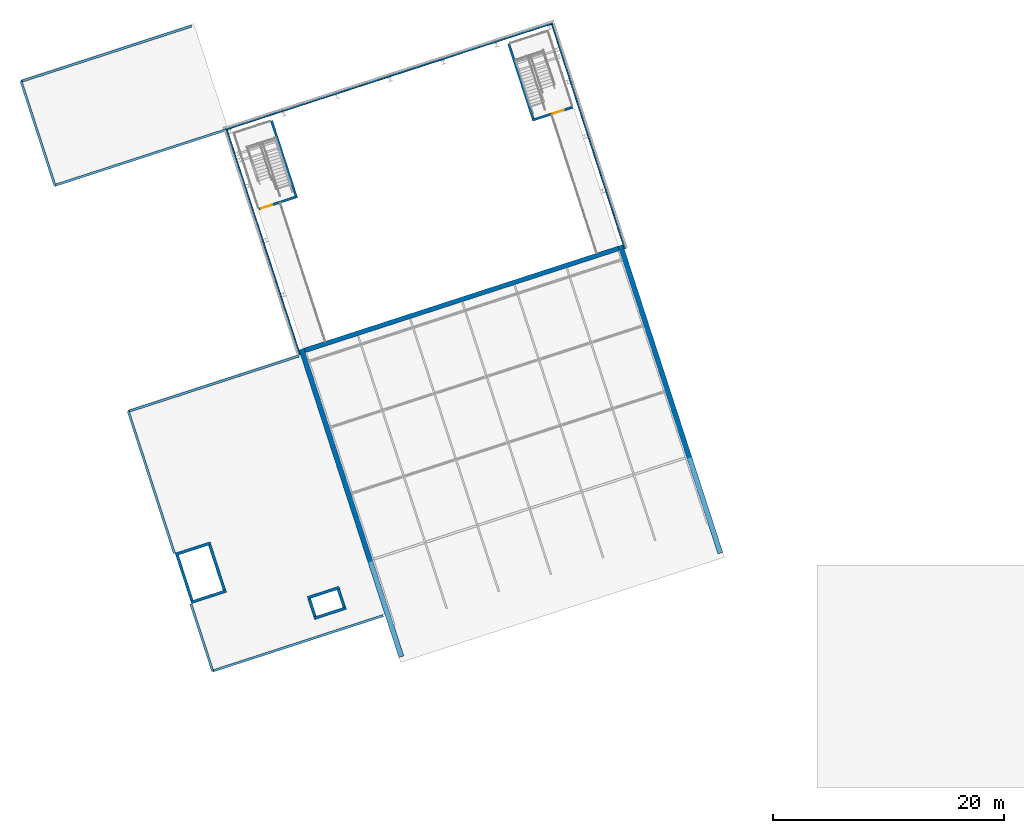
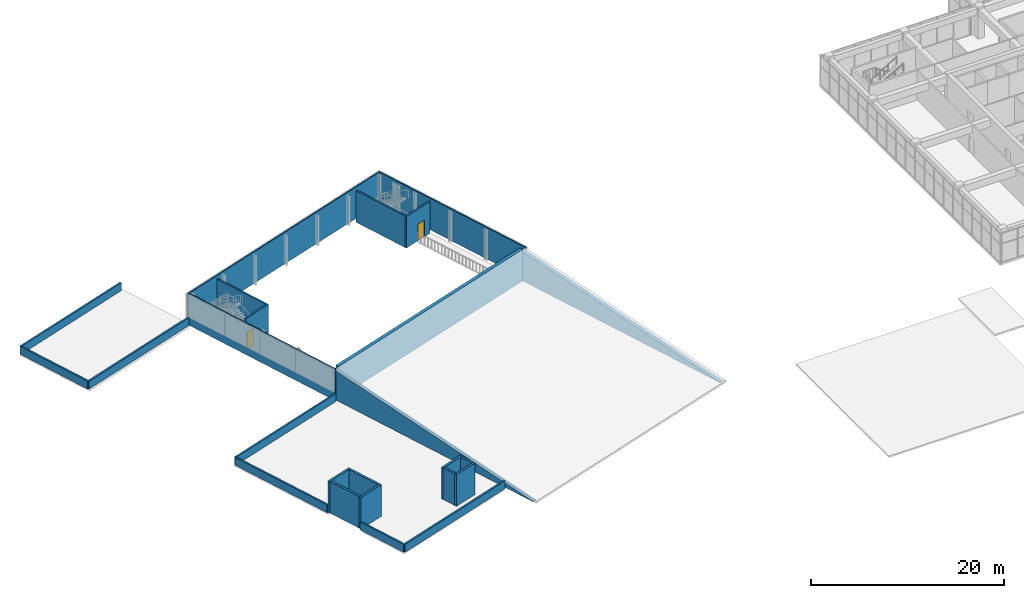
# One storey, part 48 of 55: 25 walls, 2 doors, 2 openings.
"""IFC4 building model written with IfcOpenShell, lengths in metres."""

from ifc_helpers import new_model, si_unit, direction, frame, frame_2d, origin, place, context, subcontext, project, spatial, polyline, rectangle, outline, extrude, material, layer, layer_set, type_object, element, fill, save


model = new_model("IFC4")

# Units and contexts
model_context = context("Model", 3, precision=1e-05, world=origin(), true_north=direction((0.0, 1.0)))
body_context = subcontext(model_context, "Body", "Model", "MODEL_VIEW")
ifc_project = project(units=[si_unit("LENGTHUNIT", "METRE"), si_unit("AREAUNIT", "SQUARE_METRE"), si_unit("VOLUMEUNIT", "CUBIC_METRE"), si_unit("PLANEANGLEUNIT", "RADIAN"), si_unit("MASSUNIT", "GRAM", prefix="KILO")], contexts=[model_context])

# Site, building, storey
site_placement = place(None, origin())
site = spatial("IfcSite", under=ifc_project, at=site_placement, CompositionType="ELEMENT")
building_placement = place(site_placement, origin())
building = spatial("IfcBuilding", under=site, at=building_placement, Name="Tuart Plaza Theatre", CompositionType="ELEMENT")
storey_placement = place(building_placement, frame((0.0, 0.0, 21.5)))
storey = spatial("IfcBuildingStorey", under=building, at=storey_placement, Name="L05", CompositionType="ELEMENT", Elevation=21.5)

# Walls
ifc_material_1 = material(Name="Concrete N40 (40 MPa)", Category="concrete")
ifc_layer_1 = layer(ifc_material_1, 0.199951171875)
ifc_layer_set_1 = layer_set([ifc_layer_1], Name="PARAPET RC200 EXT")
wall_type_1 = type_object("IfcWallType", Name="PARAPET RC200 EXT", PredefinedType="PARAPET", material=ifc_layer_set_1)
wall_1_placement = place(storey_placement, frame((48.3525390625, 45.775634765625, 0.0), z_axis=(0.0, 0.0, 1.0), x_axis=(-0.951054901906, -0.30902196291, 0.0)))
element("IfcWall", 1, at=wall_1_placement, inside=storey, type_object=wall_type_1, Name="P29", PredefinedType="PARAPET", context=body_context, shape_type="SweptSolid", body=[
    extrude(rectangle(XDim=15.499755859375, YDim=0.199951171875, at=frame_2d((7.75, 0.0))), origin(), (0.0, 0.0, 1.0), 1.0),
])
wall_2_placement = place(storey_placement, frame((33.611328125, 40.98583984375, 0.0), z_axis=(0.0, 0.0, 1.0), x_axis=(-0.309014578276, 0.95105730133, 0.0)))
element("IfcWall", 2, at=wall_2_placement, inside=storey, type_object=wall_type_1, Name="P30", PredefinedType="PARAPET", context=body_context, shape_type="SweptSolid", body=[
    extrude(rectangle(XDim=6.10009765625, YDim=0.199951171875, at=frame_2d((3.050048828125, 0.0))), origin(), (0.0, 0.0, 1.0), 1.0),
])
wall_3_placement = place(storey_placement, frame((30.3046875, 51.162353515625, 0.0), z_axis=(0.0, 0.0, 1.0), x_axis=(-0.309019312643, 0.951055763041, 0.0)))
element("IfcWall", 3, at=wall_3_placement, inside=storey, type_object=wall_type_1, Name="P31", PredefinedType="PARAPET", context=body_context, shape_type="SweptSolid", body=[
    extrude(rectangle(XDim=12.89990234375, YDim=0.199951171875, at=frame_2d((6.449951171875, 0.0))), origin(), (0.0, 0.0, 1.0), 1.0),
])
for number, where, z_axis, x_axis, name in (
    (4, (26.318359375, 63.430908203125, 0.0), (0.0, 0.0, 1.0), (0.951056406022, 0.30901733376, 0.0), "P32"),
    (5, (34.70947265625, 87.764892578125, 0.0), (0.0, 0.0, 1.0), (-0.951056406022, -0.30901733376, 0.0), "P33"),
):
    element("IfcWall", number, at=place(storey_placement, frame(where, z_axis=z_axis, x_axis=x_axis)), inside=storey, type_object=wall_type_1, Name=name, PredefinedType="PARAPET", context=body_context, shape_type="SweptSolid", body=[
        extrude(rectangle(XDim=15.5, YDim=0.199951171875, at=frame_2d((7.75, 0.0))), origin(), (0.0, 0.0, 1.0), 1.0),
    ])
wall_4_placement = place(storey_placement, frame((19.968017578125, 82.97509765625, 0.0), z_axis=(0.0, 0.0, 1.0), x_axis=(-0.309010713619, 0.951058557014, 0.0)))
element("IfcWall", 6, at=wall_4_placement, inside=storey, type_object=wall_type_1, Name="P34", PredefinedType="PARAPET", context=body_context, shape_type="SweptSolid", body=[
    extrude(rectangle(XDim=9.449951171875, YDim=0.199951171875, at=frame_2d((4.72509765625, 0.0))), origin(), (0.0, 0.0, 1.0), 1.0),
])
wall_5_placement = place(storey_placement, frame((17.0478515625, 91.962646484375, 0.0), z_axis=(0.0, 0.0, 1.0), x_axis=(0.951056406022, 0.30901733376, 0.0)))
element("IfcWall", 7, at=wall_5_placement, inside=storey, type_object=wall_type_1, Name="P35", PredefinedType="PARAPET", context=body_context, shape_type="SweptSolid", body=[
    extrude(rectangle(XDim=15.5, YDim=0.199951171875, at=frame_2d((7.75, 0.0))), origin(), (0.0, 0.0, 1.0), 1.0),
])
ifc_material_2 = material(Name="Concrete N40 (40 MPa)", Category="concrete")
ifc_layer_2 = layer(ifc_material_2, 0.25)
ifc_layer_set_2 = layer_set([ifc_layer_2], Name="SHEAR WALL RC250 FRL 120/120/120")
wall_type_2 = type_object("IfcWallType", Name="SHEAR WALL RC250 FRL 120/120/120", PredefinedType="SHEAR", material=ifc_layer_set_2)
wall_6_placement = place(storey_placement, frame((42.3818359375, 45.54443359375, 0.0), z_axis=(0.0, 0.0, 1.0), x_axis=(0.951071801089, 0.308969948659, 0.0)))
element("IfcWall", 8, at=wall_6_placement, inside=storey, type_object=wall_type_2, Name="W192", PredefinedType="SHEAR", context=body_context, shape_type="SweptSolid", body=[
    extrude(rectangle(XDim=2.89990234375, YDim=0.25, at=frame_2d((1.449951171875, 0.0))), origin(), (0.0, 0.0, 1.0), 4.0),
])
wall_7_placement = place(storey_placement, frame((44.982421875, 46.520751953125, 0.0), z_axis=(0.0, 0.0, 1.0), x_axis=(-0.308986014439, 0.951066581729, 0.0)))
element("IfcWall", 9, at=wall_7_placement, inside=storey, type_object=wall_type_2, Name="W193", PredefinedType="SHEAR", context=body_context, shape_type="SweptSolid", body=[
    extrude(rectangle(XDim=1.60009765625, YDim=0.25, at=frame_2d((0.800048828125, 0.0))), origin(), (0.0, 0.0, 1.0), 4.0),
])
wall_8_placement = place(storey_placement, frame((44.568359375, 48.199951171875, 0.0), z_axis=(0.0, 0.0, 1.0), x_axis=(-0.951047059821, -0.309046096893, 0.0)))
element("IfcWall", 10, at=wall_8_placement, inside=storey, type_object=wall_type_2, Name="W194", PredefinedType="SHEAR", context=body_context, shape_type="SweptSolid", body=[
    extrude(rectangle(XDim=2.89990234375, YDim=0.25, at=frame_2d((1.449951171875, 0.0))), origin(), (0.0, 0.0, 1.0), 4.0),
])
wall_9_placement = place(storey_placement, frame((41.9677734375, 47.2236328125, 0.0), z_axis=(0.0, 0.0, 1.0), x_axis=(0.308986014439, -0.951066581729, 0.0)))
element("IfcWall", 11, at=wall_9_placement, inside=storey, type_object=wall_type_2, Name="W195", PredefinedType="SHEAR", context=body_context, shape_type="SweptSolid", body=[
    extrude(rectangle(XDim=1.60009765625, YDim=0.25, at=frame_2d((0.800048828125, 0.0))), origin(), (0.0, 0.0, 1.0), 4.0),
])
wall_10_placement = place(storey_placement, frame((31.735107421875, 46.921630859375, 0.0), z_axis=(0.0, 0.0, 1.0), x_axis=(0.95104415986, 0.309055020985, 0.0)))
element("IfcWall", 12, at=wall_10_placement, inside=storey, type_object=wall_type_2, Name="W224", PredefinedType="SHEAR", context=body_context, shape_type="SweptSolid", body=[
    extrude(rectangle(XDim=3.2001953125, YDim=0.25, at=frame_2d((1.60009765625, 0.0))), origin(), (0.0, 0.0, 1.0), 4.0),
])
wall_11_placement = place(storey_placement, frame((34.62109375, 47.990966796875, 0.0), z_axis=(0.0, 0.0, 1.0), x_axis=(-0.309055103076, 0.951044133184, 0.0)))
element("IfcWall", 13, at=wall_11_placement, inside=storey, type_object=wall_type_2, Name="W225", PredefinedType="SHEAR", context=body_context, shape_type="SweptSolid", body=[
    extrude(rectangle(XDim=4.099853515625, YDim=0.25, at=frame_2d((2.0498046875, 0.0))), origin(), (0.0, 0.0, 1.0), 4.0),
])
wall_12_placement = place(storey_placement, frame((33.434326171875, 52.047607421875, 0.0), z_axis=(0.0, 0.0, 1.0), x_axis=(-0.951066581729, -0.308986014439, 0.0)))
element("IfcWall", 14, at=wall_12_placement, inside=storey, type_object=wall_type_2, Name="W226", PredefinedType="SHEAR", context=body_context, shape_type="SweptSolid", body=[
    extrude(rectangle(XDim=3.199951171875, YDim=0.25, at=frame_2d((1.60009765625, 0.0))), origin(), (0.0, 0.0, 1.0), 4.0),
])
wall_13_placement = place(storey_placement, frame((30.54833984375, 50.978515625, 0.0), z_axis=(0.0, 0.0, 1.0), x_axis=(0.309055103076, -0.951044133184, 0.0)))
element("IfcWall", 15, at=wall_13_placement, inside=storey, type_object=wall_type_2, Name="W227", PredefinedType="SHEAR", context=body_context, shape_type="SweptSolid", body=[
    extrude(rectangle(XDim=4.099853515625, YDim=0.25, at=frame_2d((2.0498046875, 0.0))), origin(), (0.0, 0.0, 1.0), 4.0),
])
ifc_material_3 = material(Name="Concrete N50 (50 MPa)", Category="concrete")
ifc_layer_3 = layer(ifc_material_3, 0.39990234375)
ifc_layer_set_3 = layer_set([ifc_layer_3], Name="SHEAR WALL RC400 N50 FRL 120/120/120")
wall_type_3 = type_object("IfcWallType", Name="SHEAR WALL RC400 N50 FRL 120/120/120", PredefinedType="SHEAR", material=ifc_layer_set_3)
wall_14_placement = place(storey_placement, frame((41.5615234375, 68.69921875, 0.0), z_axis=(0.0, 0.0, 1.0), x_axis=(0.951058008754, 0.309012401021, 0.0)))
element("IfcWall", 16, at=wall_14_placement, inside=storey, type_object=wall_type_3, Name="W57", PredefinedType="SHEAR", context=body_context, shape_type="SweptSolid", body=[
    extrude(rectangle(XDim=28.5498046875, YDim=0.39990234375, at=frame_2d((14.27490234375, 0.0))), origin(), (0.0, 0.0, 1.0), 4.0),
])
ifc_material_4 = material(Name="Concrete N50 (50 MPa)", Category="concrete")
ifc_layer_4 = layer(ifc_material_4, 0.449951171875)
ifc_layer_set_4 = layer_set([ifc_layer_4], Name="SHEAR WALL RC450 N50 FRL 120/120/120")
wall_type_4 = type_object("IfcWallType", Name="SHEAR WALL RC450 N50 FRL 120/120/120", PredefinedType="SHEAR", material=ifc_layer_set_4)
wall_15_placement = place(storey_placement, frame((49.930419921875, 42.2138671875, 0.0), z_axis=(0.0, 0.0, 1.0), x_axis=(-0.309016215614, 0.95105676933, 0.0)))
element("IfcWall", 17, at=wall_15_placement, inside=storey, type_object=wall_type_4, Name="W39", PredefinedType="SHEAR", context=body_context, shape_type="SweptSolid", body=[
    extrude(outline(polyline([(0.0, 0.0), (27.97509765625, 0.0), (27.97509765625, 3.699951171875), (27.574951171875, 3.699951171875), (0.0, 0.059326171875), (0.0, 0.0)])), frame((0.0, 0.22509765625, 0.0), z_axis=(0.0, -1.0, 0.0), x_axis=(1.0, 0.0, 0.0)), (0.0, 0.0, 1.0), 0.449951171875),
])
wall_16_placement = place(storey_placement, frame((77.51123046875, 51.175537109375, 0.0), z_axis=(0.0, 0.0, 1.0), x_axis=(-0.309018780445, 0.951055935964, 0.0)))
element("IfcWall", 18, at=wall_16_placement, inside=storey, type_object=wall_type_4, Name="W40", PredefinedType="SHEAR", context=body_context, shape_type="SweptSolid", body=[
    extrude(outline(polyline([(0.0, 0.0), (27.974853515625, 0.0), (27.97509765625, 3.699951171875), (27.574951171875, 3.699951171875), (0.0, 0.059326171875), (0.0, 0.0)])), frame((0.0, 0.22509765625, 0.0), z_axis=(0.0, -1.0, 0.0), x_axis=(1.0, 0.0, 0.0)), (0.0, 0.0, 1.0), 0.449951171875),
])

# Wall, opening, door
ifc_material_5 = material(Name="Concrete N40 (40 MPa)", Category="concrete")
ifc_layer_5 = layer(ifc_material_5, 0.199951171875)
ifc_layer_set_5 = layer_set([ifc_layer_5], Name="WALL RC200 LB FRL 120/120/120")
wall_type_5 = type_object("IfcWallType", Name="WALL RC200 LB FRL 120/120/120", PredefinedType="SOLIDWALL", material=ifc_layer_set_5)
wall_17_placement = place(storey_placement, frame((37.590576171875, 80.920166015625, 0.0), z_axis=(0.0, 0.0, 1.0), x_axis=(0.951052389726, 0.30902969436, 0.0)))
wall_17 = element("IfcWall", 19, at=wall_17_placement, inside=storey, type_object=wall_type_5, Name="W144", PredefinedType="SOLIDWALL", context=body_context, shape_type="SweptSolid", body=[
    extrude(rectangle(XDim=3.525146484375, YDim=0.199951171875, at=frame_2d((1.7626953125, 0.0))), origin(), (0.0, 0.0, 1.0), 4.0),
])
opening_1_placement = place(wall_17_placement, frame((0.22509765625, 0.0, 0.0)))
opening_1 = element("IfcOpeningElement", 20, at=opening_1_placement, cuts=wall_17, Name="Opening L05-001", PredefinedType="OPENING", context=body_context, shape_type="SweptSolid", body=[
    extrude(rectangle(XDim=1.0, YDim=2.10009765625, at=frame_2d((0.5, 1.050048828125))), frame((0.0, 0.10986328125, 0.0), z_axis=(0.0, -1.0, 0.0), x_axis=(1.0, 0.0, 0.0)), (0.0, 0.0, 1.0), 0.219970703125),
])
ifc_material_6 = material(Name="Timber", Category="wood")
door_type = type_object("IfcDoorType", Name="DOOR 1000x2100 timber single swing FRL -/120/30", OperationType="SINGLE_SWING_LEFT", PredefinedType="DOOR", material=ifc_material_6)
door_1_placement = place(opening_1_placement, origin())
door_1 = element("IfcDoor", 21, at=door_1_placement, inside=storey, type_object=door_type, Name="L05-001", OperationType="SINGLE_SWING_LEFT", OverallHeight=2.10009765625, OverallWidth=1.0, PredefinedType="DOOR", context=body_context, shape_type="SweptSolid", body=[
    extrude(rectangle(XDim=1.0, YDim=2.10009765625, at=frame_2d((0.5, 1.050048828125))), frame((0.0, 0.02490234375, 0.0), z_axis=(0.0, -1.0, 0.0), x_axis=(1.0, 0.0, 0.0)), (0.0, 0.0, 1.0), 0.050048828125),
])
fill(opening_1, door_1)

# Wall
wall_18_placement = place(storey_placement, frame((40.817138671875, 82.07373046875, 0.0), z_axis=(0.0, 0.0, 1.0), x_axis=(-0.309028643499, 0.951052731186, 0.0)))
element("IfcWall", 22, at=wall_18_placement, inside=storey, type_object=wall_type_5, Name="W145", PredefinedType="SOLIDWALL", context=body_context, shape_type="SweptSolid", body=[
    extrude(rectangle(XDim=6.824951171875, YDim=0.199951171875, at=frame_2d((3.41259765625, 0.0))), origin(), (0.0, 0.0, 1.0), 4.0),
])

# Wall, opening, door
wall_19_placement = place(storey_placement, frame((64.743408203125, 89.74267578125, 0.0), z_axis=(0.0, 0.0, 1.0), x_axis=(-0.95104773735, -0.309044011885, 0.0)))
wall_19 = element("IfcWall", 23, at=wall_19_placement, inside=storey, type_object=wall_type_5, Name="W158", PredefinedType="SOLIDWALL", context=body_context, shape_type="SweptSolid", body=[
    extrude(rectangle(XDim=3.675048828125, YDim=0.199951171875, at=frame_2d((1.83740234375, 0.0))), origin(), (0.0, 0.0, 1.0), 4.0),
])
opening_2_placement = place(wall_19_placement, frame((0.824951171875, 0.0, 0.0)))
opening_2 = element("IfcOpeningElement", 24, at=opening_2_placement, cuts=wall_19, Name="Opening L05-002", PredefinedType="OPENING", context=body_context, shape_type="SweptSolid", body=[
    extrude(rectangle(XDim=1.0, YDim=2.10009765625, at=frame_2d((0.5, 1.050048828125))), frame((0.0, 0.10986328125, 0.0), z_axis=(0.0, -1.0, 0.0), x_axis=(1.0, 0.0, 0.0)), (0.0, 0.0, 1.0), 0.219970703125),
])
door_2_placement = place(opening_2_placement, frame((1.0, 0.0, 0.0), z_axis=(0.0, 0.0, 1.0), x_axis=(-1.0, 0.0, 0.0)))
door_2 = element("IfcDoor", 25, at=door_2_placement, inside=storey, type_object=door_type, Name="L05-002", OperationType="SINGLE_SWING_LEFT", OverallHeight=2.10009765625, OverallWidth=1.0, PredefinedType="DOOR", context=body_context, shape_type="SweptSolid", body=[
    extrude(rectangle(XDim=1.0, YDim=2.10009765625, at=frame_2d((0.5, 1.050048828125))), frame((0.0, 0.02490234375, 0.0), z_axis=(0.0, -1.0, 0.0), x_axis=(1.0, 0.0, 0.0)), (0.0, 0.0, 1.0), 0.050048828125),
])
fill(opening_2, door_2)

# Walls
wall_20_placement = place(storey_placement, frame((61.3125, 88.73291015625, 0.0), z_axis=(0.0, 0.0, 1.0), x_axis=(-0.309028643499, 0.951052731186, 0.0)))
element("IfcWall", 26, at=wall_20_placement, inside=storey, type_object=wall_type_5, Name="W159", PredefinedType="SOLIDWALL", context=body_context, shape_type="SweptSolid", body=[
    extrude(rectangle(XDim=6.824951171875, YDim=0.199951171875, at=frame_2d((3.41259765625, 0.0))), origin(), (0.0, 0.0, 1.0), 4.0),
])
ifc_material_7 = material(Name="Zinc")
ifc_layer_6 = layer(ifc_material_7, 0.139892578125)
ifc_layer_set_6 = layer_set([ifc_layer_6], Name="WALL ZIN140 ZINC EXT")
wall_type_6 = type_object("IfcWallType", Name="WALL ZIN140 ZINC EXT", PredefinedType="SOLIDWALL", material=ifc_layer_set_6)
wall_21_placement = place(storey_placement, frame((41.128662109375, 68.34814453125, 0.0), z_axis=(0.0, 0.0, 1.0), x_axis=(-0.309010933888, 0.951058485445, 0.0)))
element("IfcWall", 27, at=wall_21_placement, inside=storey, type_object=wall_type_6, Name="P17", PredefinedType="SOLIDWALL", context=body_context, shape_type="SweptSolid", body=[
    extrude(rectangle(XDim=20.4248046875, YDim=0.139892578125, at=frame_2d((10.21240234375, 0.0))), origin(), (0.0, 0.0, 1.0), 4.0),
])
wall_22_placement = place(storey_placement, frame((69.2705078125, 77.491943359375, 0.0), z_axis=(0.0, 0.0, 1.0), x_axis=(-0.309021745532, 0.951054972537, 0.0)))
element("IfcWall", 28, at=wall_22_placement, inside=storey, type_object=wall_type_6, Name="P18", PredefinedType="SOLIDWALL", context=body_context, shape_type="SweptSolid", body=[
    extrude(rectangle(XDim=20.425048828125, YDim=0.139892578125, at=frame_2d((10.21240234375, 0.0))), origin(), (0.0, 0.0, 1.0), 4.0),
])
wall_23_placement = place(storey_placement, frame((34.72900390625, 87.818603515625, 0.0), z_axis=(0.0, 0.0, 1.0), x_axis=(0.951057118925, 0.309015139665, 0.0)))
element("IfcWall", 29, at=wall_23_placement, inside=storey, type_object=wall_type_6, Name="P19", PredefinedType="SOLIDWALL", context=body_context, shape_type="SweptSolid", body=[
    extrude(rectangle(XDim=29.72998046875, YDim=0.139892578125, at=frame_2d((14.864990234375, 0.0))), origin(), (0.0, 0.0, 1.0), 4.0),
])

save(model, "model.ifc")
